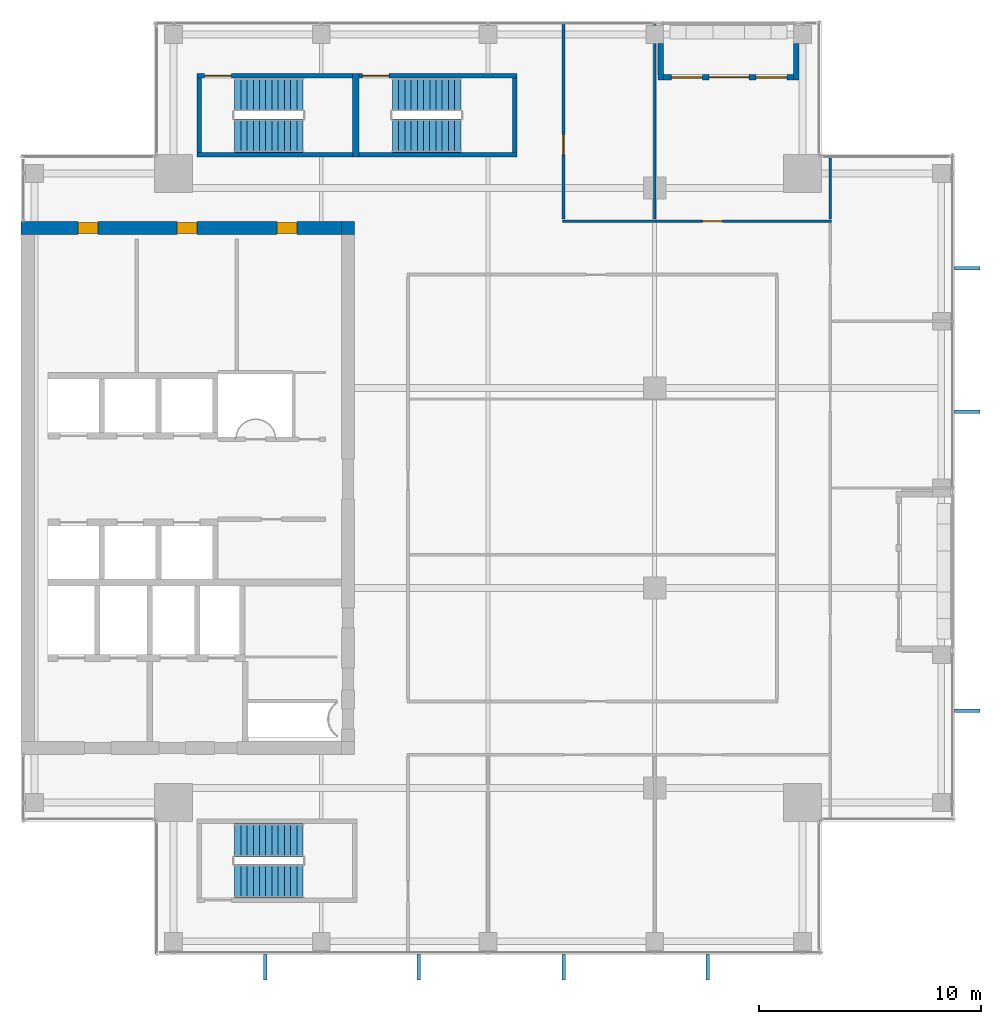
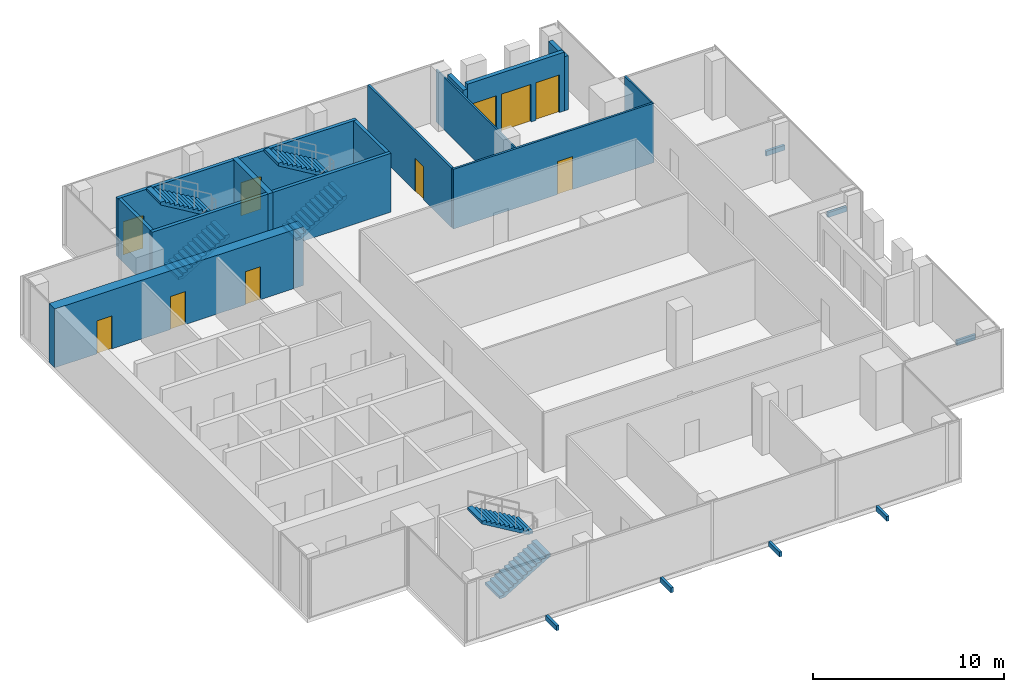
# One storey, part 26 of 29: 16 walls, 8 doors, 7 discrete accessories, 6 stair flights, 2 windows, 10 openings, 3 elements without a shape of their own.
"""IFC4 building model written with IfcOpenShell, lengths in metres."""

from ifc_helpers import new_model, si_unit, direction, frame, frame_2d, origin, origin_2d, place, context, subcontext, project, spatial, polyline, rectangle, outline, extrude, source, transform, mapped, material, layer, layer_set, type_object, element, fill, aggregate, save


model = new_model("IFC4")

# Units and contexts
model_context = context("Model", 3, precision=1e-05, world=origin(), true_north=direction((0.0, 1.0)))
body_context = subcontext(model_context, "Body", "Model", "MODEL_VIEW")
ifc_project = project(units=[si_unit("LENGTHUNIT", "METRE"), si_unit("AREAUNIT", "SQUARE_METRE"), si_unit("VOLUMEUNIT", "CUBIC_METRE"), si_unit("PLANEANGLEUNIT", "RADIAN"), si_unit("MASSUNIT", "GRAM", prefix="KILO")], contexts=[model_context])

# Site, building, storey
site_placement = place(None, origin())
site = spatial("IfcSite", under=ifc_project, at=site_placement, CompositionType="ELEMENT")
building_placement = place(site_placement, origin())
building = spatial("IfcBuilding", under=site, at=building_placement, Name="Khomas Fold Tower", CompositionType="ELEMENT")
storey_placement = place(building_placement, frame((0.0, 0.0, 286.199951171875)))
storey = spatial("IfcBuildingStorey", under=building, at=storey_placement, Name="L64", CompositionType="ELEMENT", Elevation=286.199951171875)

# Wall, opening, door
ifc_material_1 = material(Name="Concrete C50/60", Category="concrete")
ifc_layer_1 = layer(ifc_material_1, 0.199951171875)
ifc_layer_set_1 = layer_set([ifc_layer_1], Name="Concrete C50/60")
wall_type_1 = type_object("IfcWallType", Name="Stair wall 200", PredefinedType="SHEAR", material=ifc_layer_set_1)
shared_shape_1 = source(origin(), body_context, "Body", "SweptSolid", [
    extrude(rectangle(XDim=7.0, YDim=0.199951171875, at=frame_2d((3.5, 0.0))), origin(), (0.0, 0.0, 1.0), 3.75),
])
wall_1_placement = place(storey_placement, frame((13.89990234375, 45.550048828125, 0.0), z_axis=(0.0, 0.0, 1.0), x_axis=(1.0, 0.0, 0.0)))
wall_1 = element("IfcWall", 1, at=wall_1_placement, inside=storey, type_object=wall_type_1, Name="Stair wall SW-ST1-N", PredefinedType="SHEAR", context=body_context, shape_type="MappedRepresentation", body=[
    mapped(shared_shape_1, transform((0.0, 0.0, 0.0))),
])
shared_shape_2 = source(origin(), body_context, "Body", "SweptSolid", [
    extrude(rectangle(XDim=1.199951171875, YDim=2.10009765625, at=frame_2d((0.60009765625, 1.050048828125))), frame((0.0, 0.10986328125, 0.0), z_axis=(0.0, -1.0, 0.0), x_axis=(1.0, 0.0, 0.0)), (0.0, 0.0, 1.0), 0.219970703125),
])
opening_1_placement = place(wall_1_placement, frame((0.35009765625, 0.0, 0.0)))
opening_1 = element("IfcOpeningElement", 2, at=opening_1_placement, cuts=wall_1, Name="Opening SD-ST1", PredefinedType="OPENING", context=body_context, shape_type="MappedRepresentation", body=[
    mapped(shared_shape_2, transform((0.0, 0.0, 0.0))),
])
ifc_material_2 = material(Name="Steel door leaf", Category="steel")
door_type_1 = type_object("IfcDoorType", Name="Stair door 1200x2100 left-hand", OperationType="SINGLE_SWING_LEFT", PredefinedType="DOOR", material=ifc_material_2)
shared_shape_3 = source(origin(), body_context, "Body", "SweptSolid", [
    extrude(rectangle(XDim=1.199951171875, YDim=2.10009765625, at=frame_2d((0.60009765625, 1.050048828125))), frame((0.0, 0.02490234375, 0.0), z_axis=(0.0, -1.0, 0.0), x_axis=(1.0, 0.0, 0.0)), (0.0, 0.0, 1.0), 0.050048828125),
])
door_1_placement = place(opening_1_placement, origin())
door_1 = element("IfcDoor", 3, at=door_1_placement, inside=storey, type_object=door_type_1, Name="Stair door", OperationType="SINGLE_SWING_LEFT", OverallHeight=2.10009765625, OverallWidth=1.199951171875, PredefinedType="DOOR", context=body_context, shape_type="MappedRepresentation", body=[
    mapped(shared_shape_3, transform((0.0, 0.0, 0.0))),
])
fill(opening_1, door_1)

# Wall
wall_2_placement = place(storey_placement, frame((13.89990234375, 42.0, 0.0), z_axis=(0.0, 0.0, 1.0), x_axis=(1.0, 0.0, 0.0)))
element("IfcWall", 4, at=wall_2_placement, inside=storey, type_object=wall_type_1, Name="Stair wall SW-ST1-S", PredefinedType="SHEAR", context=body_context, shape_type="MappedRepresentation", body=[
    mapped(shared_shape_1, transform((0.0, 0.0, 0.0))),
])

# Wall, opening, door
shared_shape_4 = source(origin(), body_context, "Body", "SweptSolid", [
    extrude(rectangle(XDim=7.10009765625, YDim=0.199951171875, at=frame_2d((3.550048828125, 0.0))), origin(), (0.0, 0.0, 1.0), 3.75),
])
wall_3_placement = place(storey_placement, frame((21.199951171875, 45.550048828125, 0.0), z_axis=(0.0, 0.0, 1.0), x_axis=(1.0, 0.0, 0.0)))
wall_3 = element("IfcWall", 5, at=wall_3_placement, inside=storey, type_object=wall_type_1, Name="Stair wall SW-ST3-N", PredefinedType="SHEAR", context=body_context, shape_type="MappedRepresentation", body=[
    mapped(shared_shape_4, transform((0.0, 0.0, 0.0))),
])
opening_2_placement = place(wall_3_placement, frame((0.14990234375, 0.0, 0.0)))
opening_2 = element("IfcOpeningElement", 6, at=opening_2_placement, cuts=wall_3, Name="Opening SD-ST3", PredefinedType="OPENING", context=body_context, shape_type="MappedRepresentation", body=[
    mapped(shared_shape_2, transform((0.0, 0.0, 0.0))),
])
door_2_placement = place(opening_2_placement, origin())
door_2 = element("IfcDoor", 7, at=door_2_placement, inside=storey, type_object=door_type_1, Name="Stair door", OperationType="SINGLE_SWING_LEFT", OverallHeight=2.10009765625, OverallWidth=1.199951171875, PredefinedType="DOOR", context=body_context, shape_type="MappedRepresentation", body=[
    mapped(shared_shape_3, transform((0.0, 0.0, 0.0))),
])
fill(opening_2, door_2)

# Walls
wall_4_placement = place(storey_placement, frame((21.199951171875, 42.0, 0.0), z_axis=(0.0, 0.0, 1.0), x_axis=(1.0, 0.0, 0.0)))
element("IfcWall", 8, at=wall_4_placement, inside=storey, type_object=wall_type_1, Name="Stair wall SW-ST3-S", PredefinedType="SHEAR", context=body_context, shape_type="MappedRepresentation", body=[
    mapped(shared_shape_4, transform((0.0, 0.0, 0.0))),
])
ifc_material_3 = material(Name="Concrete C50/60", Category="concrete")
ifc_layer_2 = layer(ifc_material_3, 0.300048828125)
ifc_layer_set_2 = layer_set([ifc_layer_2], Name="Concrete C50/60")
wall_type_2 = type_object("IfcWallType", Name="Stair wall 300", PredefinedType="SHEAR", material=ifc_layer_set_2)
shared_shape_5 = source(origin(), body_context, "Body", "SweptSolid", [
    extrude(rectangle(XDim=3.75, YDim=0.300048828125, at=frame_2d((1.875, 0.0))), origin(), (0.0, 0.0, 1.0), 3.75),
])
wall_5_placement = place(storey_placement, frame((21.050048828125, 41.89990234375, 0.0), z_axis=(0.0, 0.0, 1.0), x_axis=(0.0, 1.0, 0.0)))
element("IfcWall", 9, at=wall_5_placement, inside=storey, type_object=wall_type_2, Name="Stair wall SW-ST1-E", PredefinedType="SHEAR", context=body_context, shape_type="MappedRepresentation", body=[
    mapped(shared_shape_5, transform((0.0, 0.0, 0.0))),
])
shared_shape_6 = source(origin(), body_context, "Body", "SweptSolid", [
    extrude(rectangle(XDim=3.349853515625, YDim=0.199951171875, at=frame_2d((1.6748046875, 0.0))), origin(), (0.0, 0.0, 1.0), 3.75),
])
for number, where, z_axis, x_axis, name in (
    (10, (14.0, 42.10009765625, 0.0), (0.0, 0.0, 1.0), (0.0, 1.0, 0.0), "Stair wall SW-ST1-W"),
    (11, (28.199951171875, 42.10009765625, 0.0), (0.0, 0.0, 1.0), (0.0, 1.0, 0.0), "Stair wall SW-ST3-E"),
):
    element("IfcWall", number, at=place(storey_placement, frame(where, z_axis=z_axis, x_axis=x_axis)), inside=storey, type_object=wall_type_1, Name=name, PredefinedType="SHEAR", context=body_context, shape_type="MappedRepresentation", body=[
        mapped(shared_shape_6, transform((0.0, 0.0, 0.0))),
    ])

# Wall, openings, doors
ifc_material_4 = material(Name="Concrete C50/60", Category="concrete")
ifc_layer_3 = layer(ifc_material_4, 0.60009765625)
ifc_layer_set_3 = layer_set([ifc_layer_3], Name="Concrete C50/60")
wall_type_3 = type_object("IfcWallType", Name="Core wall 600", PredefinedType="SHEAR", material=ifc_layer_set_3)
shared_shape_7 = source(origin(), body_context, "Body", "SweptSolid", [
    extrude(rectangle(XDim=14.39990234375, YDim=0.60009765625, at=frame_2d((7.199951171875, 0.0))), origin(), (0.0, 0.0, 1.0), 3.75),
])
wall_6_placement = place(storey_placement, frame((6.0, 38.699951171875, 0.0), z_axis=(0.0, 0.0, 1.0), x_axis=(1.0, 0.0, 0.0)))
wall_6 = element("IfcWall", 12, at=wall_6_placement, inside=storey, type_object=wall_type_3, Name="Core wall CW-U-N-L63", PredefinedType="SHEAR", context=body_context, shape_type="MappedRepresentation", body=[
    mapped(shared_shape_7, transform((0.0, 0.0, 0.0))),
])
shared_shape_8 = source(origin(), body_context, "Body", "SweptSolid", [
    extrude(rectangle(XDim=0.89990234375, YDim=2.10009765625, at=frame_2d((0.449951171875, 1.050048828125))), frame((0.0, 0.31005859375, 0.0), z_axis=(0.0, -1.0, 0.0), x_axis=(1.0, 0.0, 0.0)), (0.0, 0.0, 1.0), 0.6201171875),
])
opening_3_placement = place(wall_6_placement, frame((2.550048828125, 0.0, 0.0)))
opening_3 = element("IfcOpeningElement", 13, at=opening_3_placement, cuts=wall_6, Name="Opening 0003", PredefinedType="OPENING", context=body_context, shape_type="MappedRepresentation", body=[
    mapped(shared_shape_8, transform((0.0, 0.0, 0.0))),
])
opening_4_placement = place(wall_6_placement, frame((7.0, 0.0, 0.0)))
opening_4 = element("IfcOpeningElement", 14, at=opening_4_placement, cuts=wall_6, Name="Opening 0003", PredefinedType="OPENING", context=body_context, shape_type="MappedRepresentation", body=[
    mapped(shared_shape_8, transform((0.0, 0.0, 0.0))),
])
opening_5_placement = place(wall_6_placement, frame((11.5, 0.0, 0.0)))
opening_5 = element("IfcOpeningElement", 15, at=opening_5_placement, cuts=wall_6, Name="Opening 0008", PredefinedType="OPENING", context=body_context, shape_type="MappedRepresentation", body=[
    mapped(shared_shape_8, transform((0.0, 0.0, 0.0))),
])
ifc_material_5 = material(Name="Steel door leaf", Category="steel")
door_type_2 = type_object("IfcDoorType", Name="Plant room door 900x2100 right-hand", OperationType="SINGLE_SWING_RIGHT", PredefinedType="DOOR", material=ifc_material_5)
shared_shape_9 = source(origin(), body_context, "Body", "SweptSolid", [
    extrude(rectangle(XDim=0.89990234375, YDim=2.10009765625, at=frame_2d((0.449951171875, 1.050048828125))), frame((0.0, 0.25, 0.0), z_axis=(0.0, -1.0, 0.0), x_axis=(1.0, 0.0, 0.0)), (0.0, 0.0, 1.0), 0.5),
])
door_3_placement = place(opening_3_placement, origin())
door_3 = element("IfcDoor", 16, at=door_3_placement, inside=storey, type_object=door_type_2, Name="Plant room door", OperationType="SINGLE_SWING_RIGHT", OverallHeight=2.10009765625, OverallWidth=0.89990234375, PredefinedType="DOOR", context=body_context, shape_type="MappedRepresentation", body=[
    mapped(shared_shape_9, transform((0.0, 0.0, 0.0))),
])
fill(opening_3, door_3)
door_4_placement = place(opening_4_placement, origin())
door_4 = element("IfcDoor", 17, at=door_4_placement, inside=storey, type_object=door_type_2, Name="Plant room door", OperationType="SINGLE_SWING_RIGHT", OverallHeight=2.10009765625, OverallWidth=0.89990234375, PredefinedType="DOOR", context=body_context, shape_type="MappedRepresentation", body=[
    mapped(shared_shape_9, transform((0.0, 0.0, 0.0))),
])
fill(opening_4, door_4)
ifc_material_6 = material(Name="Timber door leaf", Category="wood")
door_type_3 = type_object("IfcDoorType", Name="Door 900x2100 right-hand", OperationType="SINGLE_SWING_RIGHT", PredefinedType="DOOR", material=ifc_material_6)
door_5_placement = place(opening_5_placement, origin())
door_5 = element("IfcDoor", 18, at=door_5_placement, inside=storey, type_object=door_type_3, Name="Door", OperationType="SINGLE_SWING_RIGHT", OverallHeight=2.10009765625, OverallWidth=0.89990234375, PredefinedType="DOOR", context=body_context, shape_type="MappedRepresentation", body=[
    mapped(shared_shape_9, transform((0.0, 0.0, 0.0))),
])
fill(opening_5, door_5)

# Wall
ifc_material_7 = material(Name="Concrete C50/60", Category="concrete")
ifc_layer_4 = layer(ifc_material_7, 0.60009765625)
ifc_layer_set_4 = layer_set([ifc_layer_4], Name="Concrete C50/60")
wall_type_4 = type_object("IfcWallType", Name="Core corner wall 600", PredefinedType="SHEAR", material=ifc_layer_set_4)
shared_shape_10 = source(origin(), body_context, "Body", "SweptSolid", [
    extrude(rectangle(XDim=0.60009765625, YDim=0.60009765625, at=frame_2d((0.300048828125, 0.0))), origin(), (0.0, 0.0, 1.0), 3.75),
])
wall_7_placement = place(storey_placement, frame((20.39990234375, 38.699951171875, 0.0), z_axis=(0.0, 0.0, 1.0), x_axis=(1.0, 0.0, 0.0)))
element("IfcWall", 19, at=wall_7_placement, inside=storey, type_object=wall_type_4, Name="Core wall CW-U-NE-L63", PredefinedType="SHEAR", context=body_context, shape_type="MappedRepresentation", body=[
    mapped(shared_shape_10, transform((0.0, 0.0, 0.0))),
])

# Wall, openings, door, windows
ifc_material_8 = material(Name="Natural stone", Category="masonry")
ifc_layer_5 = layer(ifc_material_8, 0.0400390625)
ifc_material_9 = material(Name="Mineral wool insulation", Category="insulation")
ifc_layer_6 = layer(ifc_material_9, 0.10009765625)
ifc_material_10 = material(Name="Masonry", Category="masonry")
ifc_layer_7 = layer(ifc_material_10, 0.110107421875)
ifc_layer_set_5 = layer_set([ifc_layer_5, ifc_layer_6, ifc_layer_7], Name="Stone-faced insulated masonry")
wall_type_5 = type_object("IfcWallType", Name="BL-Balcony wall", PredefinedType="SOLIDWALL", material=ifc_layer_set_5)
shared_shape_11 = source(origin(), body_context, "Body", "SweptSolid", [
    extrude(rectangle(XDim=5.85009765625, YDim=0.25, at=frame_2d((2.925048828125, 0.0))), origin(), (0.0, 0.0, 1.0), 3.75),
])
wall_8_placement = place(storey_placement, frame((34.89990234375, 45.47509765625, 0.0), z_axis=(0.0, 0.0, 1.0), x_axis=(1.0, 0.0, 0.0)))
wall_8 = element("IfcWall", 20, at=wall_8_placement, inside=storey, type_object=wall_type_5, Name="Balcony wall BAL-L64-N4", PredefinedType="SOLIDWALL", context=body_context, shape_type="MappedRepresentation", body=[
    mapped(shared_shape_11, transform((0.0, 0.0, 0.0))),
])
shared_shape_12 = source(origin(), body_context, "Body", "SweptSolid", [
    extrude(rectangle(XDim=1.39990234375, YDim=2.39990234375, at=frame_2d((0.699951171875, 1.199951171875))), frame((0.0, 0.135009765625, 0.0), z_axis=(0.0, -1.0, 0.0), x_axis=(1.0, 0.0, 0.0)), (0.0, 0.0, 1.0), 0.27001953125),
])
opening_6_placement = place(wall_8_placement, frame((0.35009765625, 0.0, 0.0)))
opening_6 = element("IfcOpeningElement", 21, at=opening_6_placement, cuts=wall_8, Name="Opening BL-W6", PredefinedType="OPENING", context=body_context, shape_type="MappedRepresentation", body=[
    mapped(shared_shape_12, transform((0.0, 0.0, 0.0))),
])
opening_7_placement = place(wall_8_placement, frame((4.14990234375, 0.0, 0.0)))
opening_7 = element("IfcOpeningElement", 22, at=opening_7_placement, cuts=wall_8, Name="Opening BL-W6", PredefinedType="OPENING", context=body_context, shape_type="MappedRepresentation", body=[
    mapped(shared_shape_12, transform((0.0, 0.0, 0.0))),
])
shared_shape_13 = source(origin(), body_context, "Body", "SweptSolid", [
    extrude(rectangle(XDim=1.800048828125, YDim=2.39990234375, at=frame_2d((0.89990234375, 1.199951171875))), frame((0.0, 0.135009765625, 0.0), z_axis=(0.0, -1.0, 0.0), x_axis=(1.0, 0.0, 0.0)), (0.0, 0.0, 1.0), 0.27001953125),
])
opening_8_placement = place(wall_8_placement, frame((2.050048828125, 0.0, 0.0)))
opening_8 = element("IfcOpeningElement", 23, at=opening_8_placement, cuts=wall_8, Name="Opening BD641", PredefinedType="OPENING", context=body_context, shape_type="MappedRepresentation", body=[
    mapped(shared_shape_13, transform((0.0, 0.0, 0.0))),
])
ifc_material_11 = material(Name="Aluminium framed double glazing", Category="aluminium")
door_type_4 = type_object("IfcDoorType", Name="BL-Glazed balcony door 1800 x 2400", OperationType="DOUBLE_DOOR_DOUBLE_SWING", PredefinedType="DOOR", material=ifc_material_11)
shared_shape_14 = source(origin(), body_context, "Body", "SweptSolid", [
    extrude(rectangle(XDim=1.800048828125, YDim=2.39990234375, at=frame_2d((0.89990234375, 1.199951171875))), frame((0.0, 0.02490234375, 0.0), z_axis=(0.0, -1.0, 0.0), x_axis=(1.0, 0.0, 0.0)), (0.0, 0.0, 1.0), 0.050048828125),
])
door_6_placement = place(opening_8_placement, origin())
door_6 = element("IfcDoor", 24, at=door_6_placement, inside=storey, type_object=door_type_4, Name="Balcony door BD641", OperationType="DOUBLE_DOOR_DOUBLE_SWING", OverallHeight=2.39990234375, OverallWidth=1.800048828125, PredefinedType="DOOR", context=body_context, shape_type="MappedRepresentation", body=[
    mapped(shared_shape_14, transform((0.0, 0.0, 0.0))),
])
fill(opening_8, door_6)
ifc_material_12 = material(Name="Aluminium framed double glazing", Category="aluminium")
window_type = type_object("IfcWindowType", Name="BL-Fixed glazing 1400 x 2400", PartitioningType="SINGLE_PANEL", PredefinedType="WINDOW", material=ifc_material_12)
shared_shape_15 = source(origin(), body_context, "Body", "SweptSolid", [
    extrude(rectangle(XDim=1.39990234375, YDim=2.39990234375, at=frame_2d((0.699951171875, 1.199951171875))), frame((0.0, 0.030029296875, 0.0), z_axis=(0.0, -1.0, 0.0), x_axis=(1.0, 0.0, 0.0)), (0.0, 0.0, 1.0), 0.06005859375),
])
window_1_placement = place(opening_6_placement, origin())
window_1 = element("IfcWindow", 25, at=window_1_placement, inside=storey, type_object=window_type, Name="Balcony glazing BAL-L64-N4-1", OverallHeight=2.39990234375, OverallWidth=1.39990234375, PartitioningType="SINGLE_PANEL", PredefinedType="WINDOW", context=body_context, shape_type="MappedRepresentation", body=[
    mapped(shared_shape_15, transform((0.0, 0.0, 0.0))),
])
fill(opening_6, window_1)
window_2_placement = place(opening_7_placement, origin())
window_2 = element("IfcWindow", 26, at=window_2_placement, inside=storey, type_object=window_type, Name="Balcony glazing BAL-L64-N4-2", OverallHeight=2.39990234375, OverallWidth=1.39990234375, PartitioningType="SINGLE_PANEL", PredefinedType="WINDOW", context=body_context, shape_type="MappedRepresentation", body=[
    mapped(shared_shape_15, transform((0.0, 0.0, 0.0))),
])
fill(opening_7, window_2)

# Walls
shared_shape_16 = source(origin(), body_context, "Body", "SweptSolid", [
    extrude(rectangle(XDim=1.64990234375, YDim=0.25, at=frame_2d((0.824951171875, 0.0))), origin(), (0.0, 0.0, 1.0), 3.449951171875),
])
for number, where, z_axis, x_axis, name in (
    (27, (34.77490234375, 47.0, 0.0), (0.0, 0.0, 1.0), (0.0, -1.0, 0.0), "Balcony return wall BAL-L64-N4-lo"),
    (28, (40.875, 47.0, 0.0), (0.0, 0.0, 1.0), (0.0, -1.0, 0.0), "Balcony return wall BAL-L64-N4-hi"),
):
    element("IfcWall", number, at=place(storey_placement, frame(where, z_axis=z_axis, x_axis=x_axis)), inside=storey, type_object=wall_type_5, Name=name, PredefinedType="SOLIDWALL", context=body_context, shape_type="MappedRepresentation", body=[
        mapped(shared_shape_16, transform((0.0, 0.0, 0.0))),
    ])

# Wall, opening, door
ifc_material_13 = material(Name="Plasterboard partition")
ifc_layer_8 = layer(ifc_material_13, 0.125)
ifc_layer_set_6 = layer_set([ifc_layer_8], Name="Plasterboard partition")
wall_type_6 = type_object("IfcWallType", Name="Partition PW2 125", PredefinedType="PARTITIONING", material=ifc_layer_set_6)
shared_shape_17 = source(origin(), body_context, "Body", "SweptSolid", [
    extrude(rectangle(XDim=8.75, YDim=0.125, at=frame_2d((4.375, 0.0))), origin(), (0.0, 0.0, 1.0), 3.800048828125),
])
wall_9_placement = place(storey_placement, frame((30.39990234375, 39.10009765625, 0.0), z_axis=(0.0, 0.0, 1.0), x_axis=(0.0, 1.0, 0.0)))
wall_9 = element("IfcWall", 29, at=wall_9_placement, inside=storey, type_object=wall_type_6, Name="Partition", PredefinedType="PARTITIONING", context=body_context, shape_type="MappedRepresentation", body=[
    mapped(shared_shape_17, transform((0.0, 0.0, 0.0))),
])
shared_shape_18 = source(origin(), body_context, "Body", "SweptSolid", [
    extrude(rectangle(XDim=0.89990234375, YDim=2.10009765625, at=frame_2d((0.449951171875, 1.050048828125))), frame((0.0, 0.072509765625, 0.0), z_axis=(0.0, -1.0, 0.0), x_axis=(1.0, 0.0, 0.0)), (0.0, 0.0, 1.0), 0.14501953125),
])
opening_9_placement = place(wall_9_placement, frame((2.89990234375, 0.0, 0.0)))
opening_9 = element("IfcOpeningElement", 30, at=opening_9_placement, cuts=wall_9, Name="Opening 0008", PredefinedType="OPENING", context=body_context, shape_type="MappedRepresentation", body=[
    mapped(shared_shape_18, transform((0.0, 0.0, 0.0))),
])
shared_shape_19 = source(origin(), body_context, "Body", "SweptSolid", [
    extrude(rectangle(XDim=0.89990234375, YDim=2.10009765625, at=frame_2d((0.449951171875, 1.050048828125))), frame((0.0, 0.02490234375, 0.0), z_axis=(0.0, -1.0, 0.0), x_axis=(1.0, 0.0, 0.0)), (0.0, 0.0, 1.0), 0.050048828125),
])
door_7_placement = place(opening_9_placement, origin())
door_7 = element("IfcDoor", 31, at=door_7_placement, inside=storey, type_object=door_type_3, Name="Door", OperationType="SINGLE_SWING_RIGHT", OverallHeight=2.10009765625, OverallWidth=0.89990234375, PredefinedType="DOOR", context=body_context, shape_type="MappedRepresentation", body=[
    mapped(shared_shape_19, transform((0.0, 0.0, 0.0))),
])
fill(opening_9, door_7)

# Walls
ifc_material_14 = material(Name="Plasterboard partition")
ifc_layer_9 = layer(ifc_material_14, 0.10009765625)
ifc_layer_set_7 = layer_set([ifc_layer_9], Name="Plasterboard partition")
wall_type_7 = type_object("IfcWallType", Name="Partition PW1 100", PredefinedType="PARTITIONING", material=ifc_layer_set_7)
shared_shape_20 = source(origin(), body_context, "Body", "SweptSolid", [
    extrude(rectangle(XDim=8.75, YDim=0.10009765625, at=frame_2d((4.375, 0.0))), origin(), (0.0, 0.0, 1.0), 3.35009765625),
])
wall_10_placement = place(storey_placement, frame((34.5, 39.10009765625, 0.0), z_axis=(0.0, 0.0, 1.0), x_axis=(0.0, 1.0, 0.0)))
element("IfcWall", 32, at=wall_10_placement, inside=storey, type_object=wall_type_7, Name="Partition", PredefinedType="PARTITIONING", context=body_context, shape_type="MappedRepresentation", body=[
    mapped(shared_shape_20, transform((0.0, 0.0, 0.0))),
])
shared_shape_21 = source(origin(), body_context, "Body", "SweptSolid", [
    extrude(rectangle(XDim=2.75, YDim=0.10009765625, at=frame_2d((1.375, 0.0))), origin(), (0.0, 0.0, 1.0), 3.800048828125),
])
wall_11_placement = place(storey_placement, frame((42.39990234375, 39.10009765625, 0.0), z_axis=(0.0, 0.0, 1.0), x_axis=(0.0, 1.0, 0.0)))
element("IfcWall", 33, at=wall_11_placement, inside=storey, type_object=wall_type_7, Name="Partition", PredefinedType="PARTITIONING", context=body_context, shape_type="MappedRepresentation", body=[
    mapped(shared_shape_21, transform((0.0, 0.0, 0.0))),
])

# Wall, opening, door
shared_shape_22 = source(origin(), body_context, "Body", "SweptSolid", [
    extrude(rectangle(XDim=12.099853515625, YDim=0.125, at=frame_2d((6.0498046875, 0.0))), origin(), (0.0, 0.0, 1.0), 3.800048828125),
])
wall_12_placement = place(storey_placement, frame((30.35009765625, 39.0, 0.0), z_axis=(0.0, 0.0, 1.0), x_axis=(1.0, 0.0, 0.0)))
wall_12 = element("IfcWall", 34, at=wall_12_placement, inside=storey, type_object=wall_type_6, Name="Partition", PredefinedType="PARTITIONING", context=body_context, shape_type="MappedRepresentation", body=[
    mapped(shared_shape_22, transform((0.0, 0.0, 0.0))),
])
opening_10_placement = place(wall_12_placement, frame((6.300048828125, 0.0, 0.0)))
opening_10 = element("IfcOpeningElement", 35, at=opening_10_placement, cuts=wall_12, Name="Opening 0008", PredefinedType="OPENING", context=body_context, shape_type="MappedRepresentation", body=[
    mapped(shared_shape_18, transform((0.0, 0.0, 0.0))),
])
door_8_placement = place(opening_10_placement, origin())
door_8 = element("IfcDoor", 36, at=door_8_placement, inside=storey, type_object=door_type_3, Name="Door", OperationType="SINGLE_SWING_RIGHT", OverallHeight=2.10009765625, OverallWidth=0.89990234375, PredefinedType="DOOR", context=body_context, shape_type="MappedRepresentation", body=[
    mapped(shared_shape_19, transform((0.0, 0.0, 0.0))),
])
fill(opening_10, door_8)

# Stair, stair flights
ifc_material_15 = material(Name="Concrete C40/50", Category="concrete")
stair_type_1 = type_object("IfcStairType", Name="Stair ST1", PredefinedType="HALF_TURN_STAIR", material=ifc_material_15)
stair_1_placement = place(storey_placement, origin())
stair_1 = element("IfcStair", 37, at=stair_1_placement, inside=storey, type_object=stair_type_1, Name="L64 ST1", PredefinedType="HALF_TURN_STAIR")
ifc_material_16 = material(Name="Concrete C40/50", Category="concrete")
stair_flight_type_1 = type_object("IfcStairFlightType", Name="Stair flight 1500 ST1", PredefinedType="STRAIGHT", material=ifc_material_16)
shared_shape_23 = source(origin(), body_context, "Body", "SweptSolid", [
    extrude(outline(polyline([(0.0, 0.0), (0.0, 0.012939453125), (0.0, 0.025634765625), (0.0, 0.03857421875), (0.0, 0.05126953125), (0.0, 0.064208984375), (0.0, 0.076904296875), (0.0, 0.08984375), (0.0, 0.1025390625), (0.0, 0.115478515625), (0.0, 0.128173828125), (0.0, 0.14111328125), (0.0, 0.15380859375), (0.0, 0.166748046875), (0.280029296875, 0.166748046875), (0.280029296875, 0.333251953125), (0.56005859375, 0.333251953125), (0.56005859375, 0.5), (0.840087890625, 0.5), (0.840087890625, 0.666748046875), (1.1201171875, 0.666748046875), (1.1201171875, 0.833251953125), (1.39990234375, 0.833251953125), (1.39990234375, 1.0), (1.679931640625, 1.0), (1.679931640625, 1.166748046875), (1.9599609375, 1.166748046875), (1.9599609375, 1.333251953125), (2.239990234375, 1.333251953125), (2.239990234375, 1.5), (2.52001953125, 1.5), (2.52001953125, 1.666748046875), (2.800048828125, 1.666748046875), (2.800048828125, 1.833251953125), (3.080078125, 1.833251953125), (3.080078125, 2.0), (3.080078125, 1.973876953125), (3.080078125, 1.947509765625), (3.080078125, 1.92138671875), (3.080078125, 1.89501953125), (3.080078125, 1.868896484375), (3.080078125, 1.842529296875), (3.080078125, 1.81640625), (3.080078125, 1.7900390625), (3.080078125, 1.763916015625), (3.080078125, 1.737548828125), (3.080078125, 1.71142578125), (3.080078125, 1.68505859375), (3.080078125, 1.658935546875), (0.29296875, 0.0), (0.0, 0.0)])), frame((0.0, 0.75, 0.0), z_axis=(0.0, -1.0, 0.0), x_axis=(1.0, 0.0, 0.0)), (0.0, 0.0, 1.0), 1.5),
])
stair_flight_1_placement = place(storey_placement, frame((15.60009765625, 42.85009765625, 0.0), z_axis=(0.0, 0.0, 1.0), x_axis=(1.0, 0.0, 0.0)))
stair_flight_1 = element("IfcStairFlight", 38, at=stair_flight_1_placement, type_object=stair_flight_type_1, Name="ST1 flight 1", NumberOfRisers=12, NumberOfTreads=11, PredefinedType="STRAIGHT", RiserHeight=0.166666667, TreadLength=0.28, context=body_context, shape_type="MappedRepresentation", body=[
    mapped(shared_shape_23, transform((0.0, 0.0, 0.0))),
])
stair_flight_2_placement = place(storey_placement, frame((18.679931640625, 44.699951171875, 2.0), z_axis=(0.0, 0.0, 1.0), x_axis=(-1.0, 0.0, 0.0)))
stair_flight_2 = element("IfcStairFlight", 39, at=stair_flight_2_placement, type_object=stair_flight_type_1, Name="ST1 flight 2", NumberOfRisers=12, NumberOfTreads=11, PredefinedType="STRAIGHT", RiserHeight=0.166666667, TreadLength=0.28, context=body_context, shape_type="MappedRepresentation", body=[
    mapped(shared_shape_23, transform((0.0, 0.0, 0.0))),
])
aggregate(stair_1, [stair_flight_1, stair_flight_2])

ifc_material_17 = material(Name="Concrete C40/50", Category="concrete")
stair_type_2 = type_object("IfcStairType", Name="Stair ST2", PredefinedType="HALF_TURN_STAIR", material=ifc_material_17)
stair_2_placement = place(storey_placement, origin())
stair_2 = element("IfcStair", 40, at=stair_2_placement, inside=storey, type_object=stair_type_2, Name="L64 ST2", PredefinedType="HALF_TURN_STAIR")
ifc_material_18 = material(Name="Concrete C40/50", Category="concrete")
stair_flight_type_2 = type_object("IfcStairFlightType", Name="Stair flight 1500 ST2", PredefinedType="STRAIGHT", material=ifc_material_18)
stair_flight_3_placement = place(storey_placement, frame((15.60009765625, 9.300048828125, 0.0), z_axis=(0.0, 0.0, 1.0), x_axis=(1.0, 0.0, 0.0)))
stair_flight_3 = element("IfcStairFlight", 41, at=stair_flight_3_placement, type_object=stair_flight_type_2, Name="ST2 flight 1", NumberOfRisers=12, NumberOfTreads=11, PredefinedType="STRAIGHT", RiserHeight=0.166666667, TreadLength=0.28, context=body_context, shape_type="MappedRepresentation", body=[
    mapped(shared_shape_23, transform((0.0, 0.0, 0.0))),
])
stair_flight_4_placement = place(storey_placement, frame((18.679931640625, 11.14990234375, 2.0), z_axis=(0.0, 0.0, 1.0), x_axis=(-1.0, 0.0, 0.0)))
stair_flight_4 = element("IfcStairFlight", 42, at=stair_flight_4_placement, type_object=stair_flight_type_2, Name="ST2 flight 2", NumberOfRisers=12, NumberOfTreads=11, PredefinedType="STRAIGHT", RiserHeight=0.166666667, TreadLength=0.28, context=body_context, shape_type="MappedRepresentation", body=[
    mapped(shared_shape_23, transform((0.0, 0.0, 0.0))),
])
aggregate(stair_2, [stair_flight_3, stair_flight_4])

ifc_material_19 = material(Name="Concrete C40/50", Category="concrete")
stair_type_3 = type_object("IfcStairType", Name="Stair ST3", PredefinedType="HALF_TURN_STAIR", material=ifc_material_19)
stair_3_placement = place(storey_placement, origin())
stair_3 = element("IfcStair", 43, at=stair_3_placement, inside=storey, type_object=stair_type_3, Name="L64 ST3", PredefinedType="HALF_TURN_STAIR")
ifc_material_20 = material(Name="Concrete C40/50", Category="concrete")
stair_flight_type_3 = type_object("IfcStairFlightType", Name="Stair flight 1500 ST3", PredefinedType="STRAIGHT", material=ifc_material_20)
stair_flight_5_placement = place(storey_placement, frame((22.699951171875, 42.85009765625, 0.0), z_axis=(0.0, 0.0, 1.0), x_axis=(1.0, 0.0, 0.0)))
stair_flight_5 = element("IfcStairFlight", 44, at=stair_flight_5_placement, type_object=stair_flight_type_3, Name="ST3 flight 1", NumberOfRisers=12, NumberOfTreads=11, PredefinedType="STRAIGHT", RiserHeight=0.166666667, TreadLength=0.28, context=body_context, shape_type="MappedRepresentation", body=[
    mapped(shared_shape_23, transform((0.0, 0.0, 0.0))),
])
stair_flight_6_placement = place(storey_placement, frame((25.780029296875, 44.699951171875, 2.0), z_axis=(0.0, 0.0, 1.0), x_axis=(-1.0, 0.0, 0.0)))
stair_flight_6 = element("IfcStairFlight", 45, at=stair_flight_6_placement, type_object=stair_flight_type_3, Name="ST3 flight 2", NumberOfRisers=12, NumberOfTreads=11, PredefinedType="STRAIGHT", RiserHeight=0.166666667, TreadLength=0.28, context=body_context, shape_type="MappedRepresentation", body=[
    mapped(shared_shape_23, transform((0.0, 0.0, 0.0))),
])
aggregate(stair_3, [stair_flight_5, stair_flight_6])

# Discrete accessories
ifc_material_21 = material(Name="Stainless steel", Category="steel")
discrete_accessory_type = type_object("IfcDiscreteAccessoryType", Name="SK-Stainless steel stone bracket", PredefinedType="BRACKET", material=ifc_material_21)
shared_shape_24 = source(origin(), body_context, "Body", "SweptSolid", [
    extrude(rectangle(XDim=1.13623046875, YDim=0.14990234375, at=origin_2d()), origin(), (0.0, 0.0, 1.0), 0.31005859375),
])
for number, where, z_axis, x_axis, name in (
    (46, (16.974365234375, 5.431884765625, -0.25), (0.0, 0.0, 1.0), (0.0, -1.0, 0.0), "Stone bracket L64 SS03-1-2"),
    (47, (23.87890625, 5.431884765625, -0.25), (0.0, 0.0, 1.0), (0.0, -1.0, 0.0), "Stone bracket L64 SS06-2-2"),
    (48, (30.4140625, 5.431884765625, -0.25), (0.0, 0.0, 1.0), (0.0, -1.0, 0.0), "Stone bracket L64 SS09-3-2"),
    (49, (36.88818359375, 5.431884765625, -0.25), (0.0, 0.0, 1.0), (0.0, -1.0, 0.0), "Stone bracket L64 SS12-4-2"),
    (50, (48.568115234375, 16.974365234375, -0.25), (0.0, 0.0, 1.0), (1.0, 0.0, 0.0), "Stone bracket L64 ES03-1-2"),
    (51, (48.568115234375, 30.43017578125, -0.25), (0.0, 0.0, 1.0), (1.0, 0.0, 0.0), "Stone bracket L64 ES09-2-2"),
    (52, (48.568115234375, 36.88818359375, -0.25), (0.0, 0.0, 1.0), (1.0, 0.0, 0.0), "Stone bracket L64 ES12-3-2"),
):
    element("IfcDiscreteAccessory", number, at=place(storey_placement, frame(where, z_axis=z_axis, x_axis=x_axis)), inside=storey, type_object=discrete_accessory_type, Name=name, PredefinedType="BRACKET", context=body_context, shape_type="MappedRepresentation", body=[
        mapped(shared_shape_24, transform((0.0, 0.0, 0.0))),
    ])

save(model, "model.ifc")
